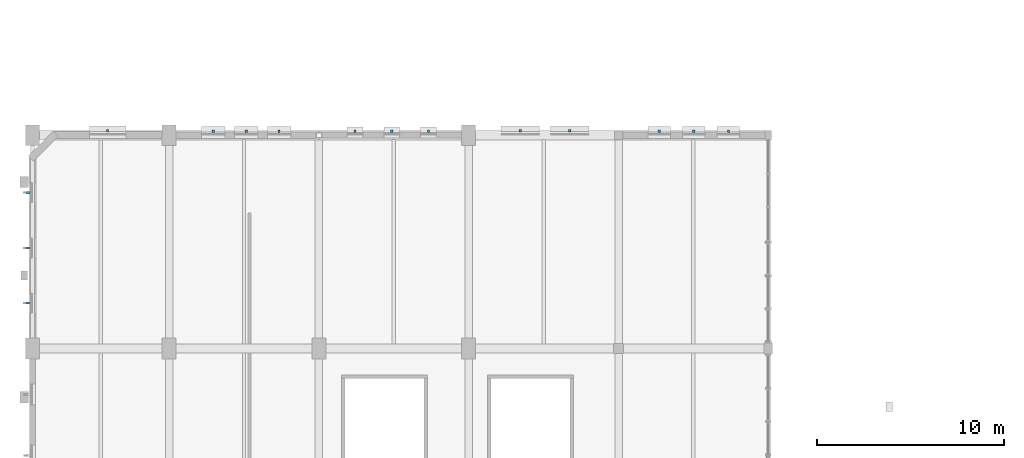
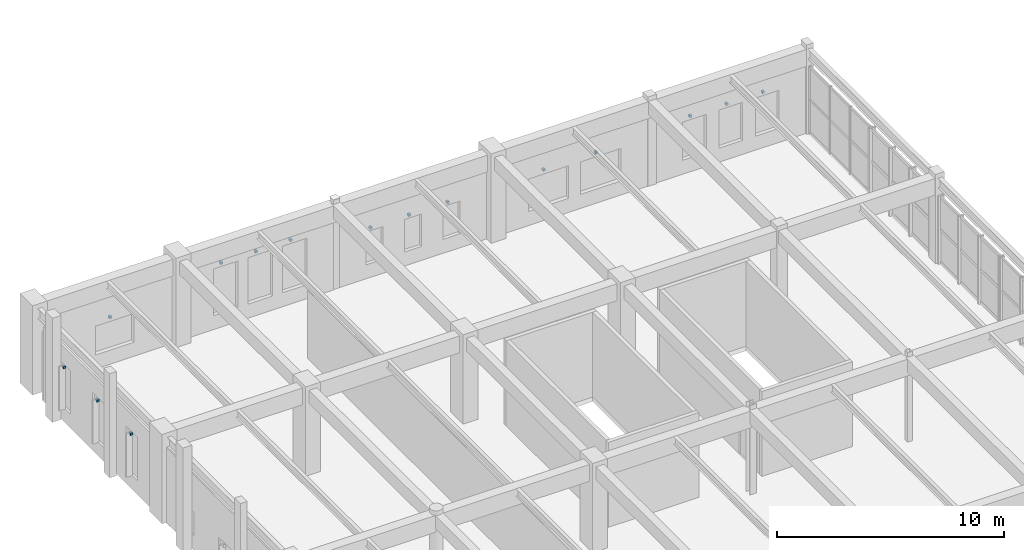
# One storey, part 94 of 106: 15 discrete accessories.
"""IFC4 building model written with IfcOpenShell, lengths in metres."""

import ifcopenshell
import ifcopenshell.guid

model = None  # the IFC model being written
_history = None  # IfcOwnerHistory: only IFC2X3 demands one
_inside = {}  # id of a spatial element -> (the spatial element, [elements in it])
_under = {}  # id of a project, library or spatial element -> (it, [spatial elements below it])
_declared = {}  # id of a project -> (the project, [libraries it declares])
_typed = {}  # id of a type object -> (the type object, [elements of that type])
_made_of = {}  # id of a material, layer set ... -> (it, [elements and type objects made of it])


def new_model(schema):
    """Start an empty IFC model of exactly this schema.

    Asked for "IFC4X3", IfcOpenShell would pick the latest addendum, in which some entities
    have other attributes; the version numbers below select the first issue.
    IFC2X3 requires an IfcOwnerHistory on every rooted entity: one is made here for all.
    """
    global model, _history
    if schema == "IFC4X3":
        model = ifcopenshell.file(schema_version=(4, 3, 0, 0))
    else:
        model = ifcopenshell.file(schema=schema)
    _inside.clear()
    _under.clear()
    _declared.clear()
    _typed.clear()
    _made_of.clear()
    _history = None
    if model.schema == "IFC2X3":
        org = make("IfcOrganization", Name="unknown")
        user = make(
            "IfcPersonAndOrganization",
            ThePerson=make("IfcPerson", FamilyName="unknown"),
            TheOrganization=org,
        )
        app = make(
            "IfcApplication",
            ApplicationDeveloper=org,
            Version="unknown",
            ApplicationFullName="unknown",
            ApplicationIdentifier="unknown",
        )
        _history = make(
            "IfcOwnerHistory",
            OwningUser=user,
            OwningApplication=app,
            ChangeAction="ADDED",
            CreationDate=0,
        )
    return model


def make(cls, **values):
    """One entity of the class cls with the attributes given. An attribute that is None is left unset."""
    return model.create_entity(
        cls, **{name: value for name, value in values.items() if value is not None}
    )


def rooted(cls, **values):
    """An entity with a GlobalId (a new one), such as an element, a storey or a relation."""
    return make(cls, GlobalId=ifcopenshell.guid.new(), OwnerHistory=_history, **values)


def si_unit(unit_type, name, prefix=None):
    """IfcSIUnit, for example si_unit("LENGTHUNIT", "METRE", prefix="MILLI")."""
    return make("IfcSIUnit", UnitType=unit_type, Prefix=prefix, Name=name)


def assignment(units):
    """IfcUnitAssignment: the units of a project."""
    return None if units is None else make("IfcUnitAssignment", Units=units)


def point(xyz):
    """IfcCartesianPoint."""
    return None if xyz is None else make("IfcCartesianPoint", Coordinates=xyz)


def direction(xyz):
    """IfcDirection."""
    return None if xyz is None else make("IfcDirection", DirectionRatios=xyz)


def frame(location, z_axis=None, x_axis=None):
    """IfcAxis2Placement3D, a coordinate frame: its origin and axes. An axis left out is left unset."""
    return make(
        "IfcAxis2Placement3D",
        Location=point(location),
        Axis=direction(z_axis),
        RefDirection=direction(x_axis),
    )


def frame_2d(location, x_axis=None):
    """IfcAxis2Placement2D, a coordinate frame in the plane: its origin and x axis."""
    return make(
        "IfcAxis2Placement2D", Location=point(location), RefDirection=direction(x_axis)
    )


def origin():
    """The frame at (0, 0, 0) with its axes left unset."""
    return frame((0.0, 0.0, 0.0))


def origin_2d():
    """The frame at (0, 0) in the plane with its x axis left unset."""
    return frame_2d((0.0, 0.0))


def place(relative_to, where):
    """IfcLocalPlacement: puts the frame where relative to a parent placement (None: the world)."""
    return make(
        "IfcLocalPlacement", PlacementRelTo=relative_to, RelativePlacement=where
    )


def context(
    kind, dimensions, precision=None, world=None, true_north=None, identifier=None
):
    """IfcGeometricRepresentationContext, for example the 3D "Model" context."""
    return make(
        "IfcGeometricRepresentationContext",
        ContextIdentifier=identifier,
        ContextType=kind,
        CoordinateSpaceDimension=dimensions,
        Precision=precision,
        WorldCoordinateSystem=world,
        TrueNorth=true_north,
    )


def subcontext(parent, identifier, kind, view, scale=None):
    """IfcGeometricRepresentationSubContext, for example "Body" below "Model"."""
    return make(
        "IfcGeometricRepresentationSubContext",
        ContextIdentifier=identifier,
        ContextType=kind,
        ParentContext=parent,
        TargetScale=scale,
        TargetView=view,
    )


def project(units=None, contexts=None):
    """IfcProject with its units and contexts."""
    return rooted(
        "IfcProject",
        Name="project",
        RepresentationContexts=contexts,
        UnitsInContext=assignment(units),
    )


def spatial(cls, under=None, at=None, **own):
    """A site, building, storey or space (cls), placed at a placement, below another one or the project."""
    s = rooted(cls, ObjectPlacement=at, **own)
    if under is not None:
        _under.setdefault(under.id(), (under, []))[1].append(s)
    return s


def profile(cls, at=None, kind="AREA", **sizes):
    """A parametric profile (cls). Its sizes go by their IFC names, for example OverallWidth=200.0."""
    return make(cls, ProfileType=kind, Position=at, **sizes)


def rectangle(**sizes):
    """IfcRectangleProfileDef."""
    return profile("IfcRectangleProfileDef", **sizes)


def extrude(swept, where, along, depth):
    """IfcExtrudedAreaSolid: the profile swept, set in the frame where, extruded along a direction by depth."""
    return make(
        "IfcExtrudedAreaSolid",
        SweptArea=swept,
        Position=where,
        ExtrudedDirection=direction(along),
        Depth=depth,
    )


def shape(context_of_items, identifier, shape_type, items):
    """IfcShapeRepresentation: the items that make up one representation, for example the "Body"."""
    return make(
        "IfcShapeRepresentation",
        ContextOfItems=context_of_items,
        RepresentationIdentifier=identifier,
        RepresentationType=shape_type,
        Items=items,
    )


def material(Name=None, Category=None):
    """IfcMaterial."""
    return make("IfcMaterial", Name=Name, Category=Category)


def made_of(thing, what):
    """Note that an element or type object is made of a material, layer set ...; save() writes the relation."""
    if what is not None:
        _made_of.setdefault(what.id(), (what, []))[1].append(thing)
    return thing


def type_object(cls, material=None, **own):
    """A type object (cls), such as IfcWallType, which elements share."""
    return made_of(rooted(cls, **own), material)


def element(
    cls,
    number,
    at=None,
    inside=None,
    cuts=None,
    type_object=None,
    material=None,
    context=None,
    identifier="Body",
    shape_type=None,
    held_by="IfcProductDefinitionShape",
    body=None,
    shapes=None,
    **own,
):
    """One element of the class cls, such as IfcWall. Its Tag is "e" and its number.

    at: its placement. inside: the storey or other place that contains it. cuts: it is an
    opening in that element (IfcRelVoidsElement). A single representation is given by context,
    identifier, shape_type and body (its items); several are given by shapes. held_by: the class
    of the entity that holds the representations. save() writes the other relations.
    """
    e = rooted(cls, Tag="e%d" % number, ObjectPlacement=at, **own)
    if body is not None:
        shapes = [shape(context, identifier, shape_type, body)]
    if shapes is not None:
        e.Representation = make(held_by, Representations=shapes)
    if inside is not None:
        _inside.setdefault(inside.id(), (inside, []))[1].append(e)
    if cuts is not None:
        rooted(
            "IfcRelVoidsElement", RelatingBuildingElement=cuts, RelatedOpeningElement=e
        )
    if type_object is not None:
        _typed.setdefault(type_object.id(), (type_object, []))[1].append(e)
    return made_of(e, material)


def aggregate(whole, parts):
    """IfcRelAggregates: a whole, such as a stair, and the parts it consists of."""
    return rooted("IfcRelAggregates", RelatingObject=whole, RelatedObjects=parts)


def save(model, path):
    """Write the relations noted so far, then the file.

    IfcRelAggregates (storeys below a building ...), IfcRelContainedInSpatialStructure (elements
    in a storey), IfcRelDefinesByType, IfcRelAssociatesMaterial and IfcRelDeclares: one each for
    every whole, place, type object, material and project.
    """
    for whole, parts in _under.values():
        aggregate(whole, parts)
    for where, things in _inside.values():
        rooted(
            "IfcRelContainedInSpatialStructure",
            RelatedElements=things,
            RelatingStructure=where,
        )
    for kind, things in _typed.values():
        rooted("IfcRelDefinesByType", RelatedObjects=things, RelatingType=kind)
    for what, things in _made_of.values():
        rooted("IfcRelAssociatesMaterial", RelatedObjects=things, RelatingMaterial=what)
    for by, libraries in _declared.values():
        rooted("IfcRelDeclares", RelatingContext=by, RelatedDefinitions=libraries)
    model.write(path)


model = new_model("IFC4")

# Units and contexts
model_context = context("Model", 3, precision=1e-05, world=origin(), true_north=direction((0.0, 1.0)))
body_context = subcontext(model_context, "Body", "Model", "MODEL_VIEW")
ifc_project = project(units=[si_unit("LENGTHUNIT", "METRE"), si_unit("AREAUNIT", "SQUARE_METRE"), si_unit("VOLUMEUNIT", "CUBIC_METRE"), si_unit("PLANEANGLEUNIT", "RADIAN"), si_unit("MASSUNIT", "GRAM", prefix="KILO"), si_unit("POWERUNIT", "WATT"), si_unit("THERMODYNAMICTEMPERATUREUNIT", "KELVIN")], contexts=[model_context])

# Site, building, storey
site_placement = place(None, origin())
site = spatial("IfcSite", under=ifc_project, at=site_placement, CompositionType="ELEMENT")
building_placement = place(site_placement, origin())
building = spatial("IfcBuilding", under=site, at=building_placement, Name="Kelmbourne Parkland Aquatics Centre", CompositionType="ELEMENT")
storey_placement = place(building_placement, frame((0.0, 0.0, 5.39990234375)))
storey = spatial("IfcBuildingStorey", under=building, at=storey_placement, Name="L01", CompositionType="ELEMENT", Elevation=5.39990234375)

# Discrete accessories
ifc_material = material(Name="Hot-dip galvanised structural steel AS/NZS 4680", Category="steel")
discrete_accessory_type = type_object("IfcDiscreteAccessoryType", Name="ACC-BRK-1", PredefinedType="BRACKET", material=ifc_material)
for number, where, z_axis, x_axis, name in (
    (1, (0.465087890625, 83.027099609375, 2.93994140625), (0.0, 0.0, 1.0), (0.0, 1.0, 0.0), "Galvanised sunshade fixing bracket 091"),
    (2, (0.465087890625, 85.97607421875, 2.93994140625), (0.0, 0.0, 1.0), (0.0, 1.0, 0.0), "Galvanised sunshade fixing bracket 092"),
    (3, (0.465087890625, 88.925048828125, 2.93994140625), (0.0, 0.0, 1.0), (0.0, 1.0, 0.0), "Galvanised sunshade fixing bracket 093"),
    (4, (4.71142578125, 92.235107421875, 2.14013671875), (0.0, 0.0, 1.0), (1.0, 0.0, 0.0), "Galvanised sunshade fixing bracket 104"),
    (5, (10.35205078125, 92.215087890625, 3.090087890625), (0.0, 0.0, 1.0), (1.0, 0.0, 0.0), "Galvanised sunshade fixing bracket 105"),
    (6, (12.112548828125, 92.215087890625, 3.090087890625), (0.0, 0.0, 1.0), (1.0, 0.0, 0.0), "Galvanised sunshade fixing bracket 106"),
    (7, (13.873046875, 92.215087890625, 3.090087890625), (0.0, 0.0, 1.0), (1.0, 0.0, 0.0), "Galvanised sunshade fixing bracket 107"),
    (8, (17.927001953125, 92.195068359375, 2.340087890625), (0.0, 0.0, 1.0), (1.0, 0.0, 0.0), "Galvanised sunshade fixing bracket 108"),
    (9, (19.887451171875, 92.195068359375, 2.340087890625), (0.0, 0.0, 1.0), (1.0, 0.0, 0.0), "Galvanised sunshade fixing bracket 109"),
    (10, (21.847900390625, 92.195068359375, 2.340087890625), (0.0, 0.0, 1.0), (1.0, 0.0, 0.0), "Galvanised sunshade fixing bracket 110"),
    (11, (26.751953125, 92.235107421875, 2.340087890625), (0.0, 0.0, 1.0), (1.0, 0.0, 0.0), "Galvanised sunshade fixing bracket 111"),
    (12, (29.39794921875, 92.235107421875, 2.340087890625), (0.0, 0.0, 1.0), (1.0, 0.0, 0.0), "Galvanised sunshade fixing bracket 112"),
    (13, (34.177001953125, 92.215087890625, 2.64013671875), (0.0, 0.0, 1.0), (1.0, 0.0, 0.0), "Galvanised sunshade fixing bracket 113"),
    (14, (36.02490234375, 92.215087890625, 2.64013671875), (0.0, 0.0, 1.0), (1.0, 0.0, 0.0), "Galvanised sunshade fixing bracket 114"),
    (15, (37.873046875, 92.215087890625, 2.64013671875), (0.0, 0.0, 1.0), (1.0, 0.0, 0.0), "Galvanised sunshade fixing bracket 115"),
):
    element("IfcDiscreteAccessory", number, at=place(storey_placement, frame(where, z_axis=z_axis, x_axis=x_axis)), inside=storey, type_object=discrete_accessory_type, Name=name, PredefinedType="BRACKET", context=body_context, shape_type="SweptSolid", body=[
        extrude(rectangle(XDim=0.1201171875, YDim=0.139892578125, at=origin_2d()), origin(), (0.0, 0.0, 1.0), 0.1201171875),
    ])

save(model, "model.ifc")
